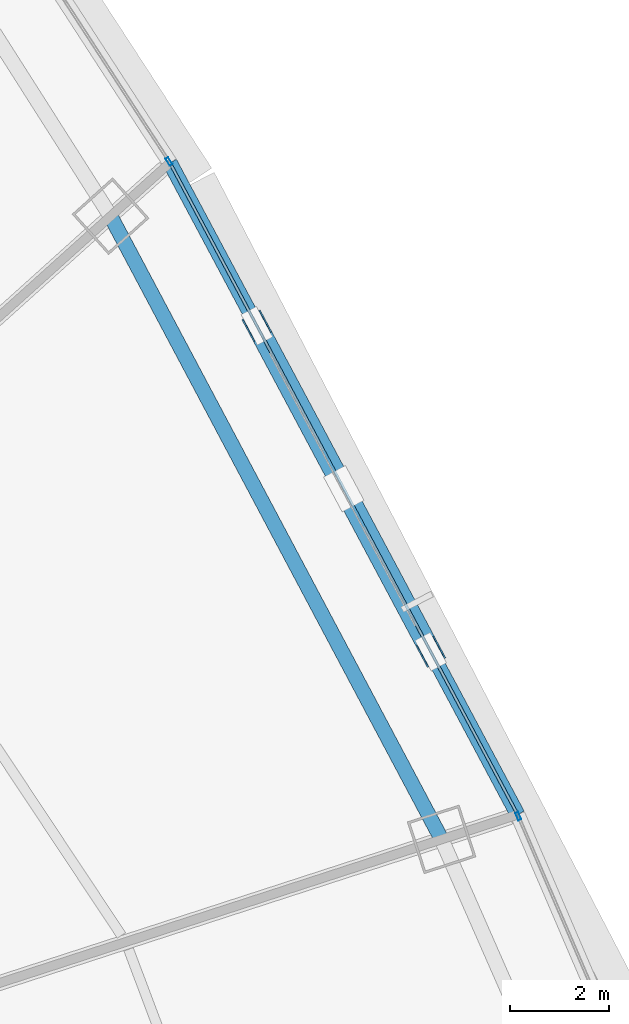
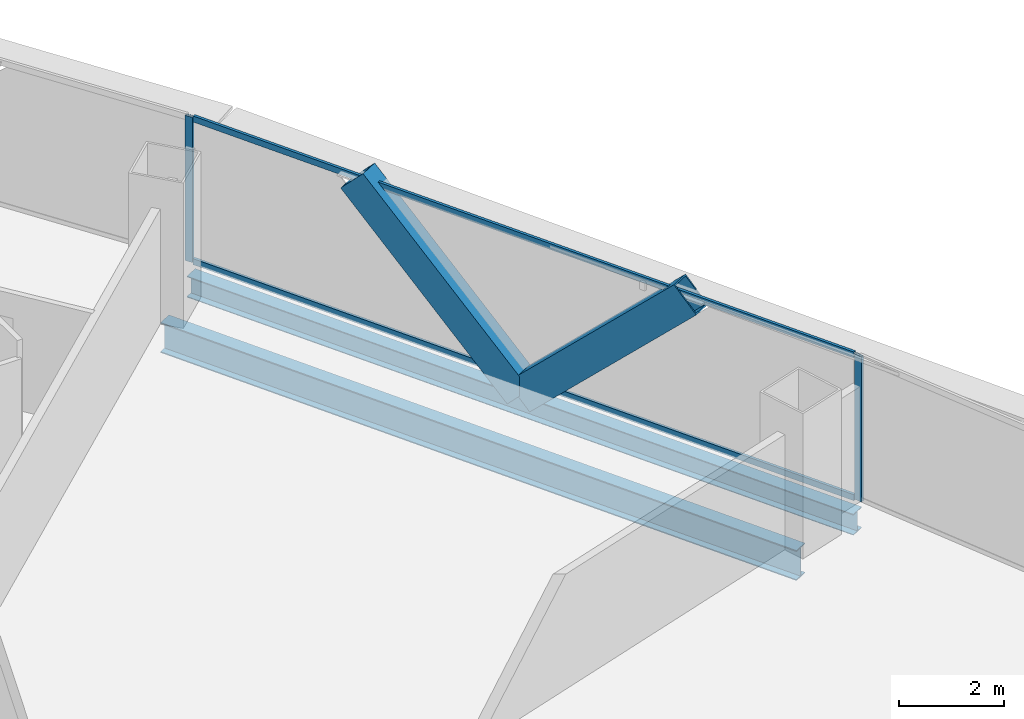
# One storey, part 25 of 42: 6 members, 2 beams, 3 elements without a shape of their own.
"""IFC4 building model written with IfcOpenShell, lengths in metres."""

from ifc_helpers import new_model, si_unit, direction, frame, origin, origin_2d, place, context, subcontext, project, spatial, hollow_rectangle, i_section, extrude, source, transform, mapped, material, layer, layer_set, material_profile, profile_set, type_object, element, aggregate, save


model = new_model("IFC4")

# Units and contexts
model_context = context("Model", 3, precision=1e-05, world=origin(), true_north=direction((0.0, 1.0)))
body_context = subcontext(model_context, "Body", "Model", "MODEL_VIEW")
ifc_project = project(units=[si_unit("LENGTHUNIT", "METRE"), si_unit("AREAUNIT", "SQUARE_METRE"), si_unit("VOLUMEUNIT", "CUBIC_METRE"), si_unit("PLANEANGLEUNIT", "RADIAN"), si_unit("MASSUNIT", "GRAM", prefix="KILO"), si_unit("THERMODYNAMICTEMPERATUREUNIT", "KELVIN"), si_unit("POWERUNIT", "WATT")], contexts=[model_context])

# Site, building, storey
site_placement = place(None, origin())
site = spatial("IfcSite", under=ifc_project, at=site_placement, CompositionType="ELEMENT")
building_placement = place(site_placement, origin())
building = spatial("IfcBuilding", under=site, at=building_placement, Name="Yunzhuo Pagoda Commons", CompositionType="ELEMENT")
storey_placement = place(building_placement, frame((0.0, 0.0, 41.2900390625)))
storey = spatial("IfcBuildingStorey", under=building, at=storey_placement, Name="L10", CompositionType="ELEMENT", Elevation=41.2900390625)

# Beams
ifc_material_1 = material(Name="Structural steel Q355B", Category="steel")
ifc_material_profile_1 = material_profile(ifc_material_1, i_section(OverallWidth=0.300048828125, OverallDepth=0.699951171875, WebThickness=0.012939453125, FlangeThickness=0.02392578125, at=origin_2d()), Name="Structural steel Q355B")
ifc_profile_set_1 = profile_set([ifc_material_profile_1], Name="Structural steel Q355B")
beam_type_1 = type_object("IfcBeamType", Name="B-RG1 Beam HN 700x300x13x24", PredefinedType="BEAM", material=ifc_profile_set_1)
shared_shape_1 = source(origin(), body_context, "Body", "SweptSolid", [
    extrude(i_section(OverallWidth=0.300048828125, OverallDepth=0.699951171875, WebThickness=0.012939453125, FlangeThickness=0.02392578125, at=origin_2d()), origin(), (0.0, 0.0, 1.0), 14.25390625),
])
beam_1_placement = place(storey_placement, frame((80.33544921875, 44.206298828125, -0.610107421875), z_axis=(-0.469118073628, 0.883135455633, 0.0), x_axis=(-0.883135455633, -0.469118073628, 0.0)))
element("IfcBeam", 1, at=beam_1_placement, inside=storey, type_object=beam_type_1, Name="L10 column-ring beam 6", PredefinedType="BEAM", context=body_context, shape_type="MappedRepresentation", body=[
    mapped(shared_shape_1, transform((0.0, 0.0, 0.0), scale=1.0)),
])
ifc_material_profile_2 = material_profile(ifc_material_1, i_section(OverallWidth=0.300048828125, OverallDepth=0.488037109375, WebThickness=0.010986328125, FlangeThickness=0.01806640625, at=origin_2d()), Name="Structural steel Q355B")
ifc_profile_set_2 = profile_set([ifc_material_profile_2], Name="Structural steel Q355B")
beam_type_2 = type_object("IfcBeamType", Name="B-SP1 Beam HM 488x300x11x18", PredefinedType="BEAM", material=ifc_profile_set_2)
shared_shape_2 = source(origin(), body_context, "Body", "SweptSolid", [
    extrude(i_section(OverallWidth=0.300048828125, OverallDepth=0.488037109375, WebThickness=0.010986328125, FlangeThickness=0.01806640625, at=origin_2d()), origin(), (0.0, 0.0, 1.0), 14.924072265625),
])
beam_2_placement = place(storey_placement, frame((81.87158203125, 44.70556640625, -0.504150390625), z_axis=(-0.470660405107, 0.882314446819, 0.0), x_axis=(-0.882314446819, -0.470660405107, 0.0)))
element("IfcBeam", 2, at=beam_2_placement, inside=storey, type_object=beam_type_2, Name="L10 facade edge spandrel beam F2.2", PredefinedType="BEAM", context=body_context, shape_type="MappedRepresentation", body=[
    mapped(shared_shape_2, transform((0.0, 0.0, 0.0), scale=1.0)),
])

# Members
ifc_material_2 = material(Name="Structural steel Q420B", Category="steel")
ifc_material_profile_3 = material_profile(ifc_material_2, hollow_rectangle(XDim=0.419921875, YDim=0.719970703125, WallThickness=0.028076171875, at=origin_2d()), Name="Structural steel Q420B")
ifc_profile_set_3 = profile_set([ifc_material_profile_3], Name="Structural steel Q420B")
member_type_1 = type_object("IfcMemberType", Name="M-DL1 Brace BOX 720x420x28", PredefinedType="BRACE", material=ifc_profile_set_3)
shared_shape_3 = source(origin(), body_context, "Body", "SweptSolid", [
    extrude(hollow_rectangle(XDim=0.419921875, YDim=0.719970703125, WallThickness=0.028076171875, at=origin_2d()), origin(), (0.0, 0.0, 1.0), 5.20556640625),
])
member_1_placement = place(storey_placement, frame((78.359619140625, 51.28955078125, -0.260009765625), z_axis=(0.337355825216, -0.632407333131, 0.697317726861), x_axis=(0.882311277354, 0.470666346634, 0.0)))
element("IfcMember", 3, at=member_1_placement, inside=storey, type_object=member_type_1, Name="L10 facade diamond brace F2.2L", PredefinedType="BRACE", context=body_context, shape_type="MappedRepresentation", body=[
    mapped(shared_shape_3, transform((0.0, 0.0, 0.0), scale=1.0)),
])
shared_shape_4 = source(origin(), body_context, "Body", "SweptSolid", [
    extrude(hollow_rectangle(XDim=0.419921875, YDim=0.719970703125, WallThickness=0.028076171875, at=origin_2d()), origin(), (0.0, 0.0, 1.0), 5.205322265625),
])
member_2_placement = place(storey_placement, frame((78.359619140625, 51.28955078125, -0.260009765625), z_axis=(-0.337365831354, 0.632379188676, 0.697338409644), x_axis=(-0.882296780726, -0.470693521009, 0.0)))
element("IfcMember", 4, at=member_2_placement, inside=storey, type_object=member_type_1, Name="L10 facade diamond brace F2.2R", PredefinedType="BRACE", context=body_context, shape_type="MappedRepresentation", body=[
    mapped(shared_shape_4, transform((0.0, 0.0, 0.0), scale=1.0)),
])

# Curtain wall, member
ifc_material_3 = material(Name="Anodized aluminium 6063-T6", Category="aluminium")
ifc_layer = layer(ifc_material_3, 0.1650390625)
ifc_layer_set = layer_set([ifc_layer], Name="Anodized aluminium 6063-T6")
curtain_wall_type = type_object("IfcCurtainWallType", Name="CW-LOW Low-Zone Ribbon Curtain Wall", PredefinedType="NOTDEFINED", material=ifc_layer_set)
curtain_wall_1_placement = place(storey_placement, origin())
curtain_wall_1 = element("IfcCurtainWall", 5, at=curtain_wall_1_placement, inside=storey, type_object=curtain_wall_type, Name="L10 curtain wall CW-L10-F2B2", PredefinedType="NOTDEFINED")
ifc_material_profile_4 = material_profile(ifc_material_3, hollow_rectangle(XDim=0.06494140625, YDim=0.1650390625, WallThickness=0.00390625, at=origin_2d()), Name="Anodized aluminium 6063-T6")
ifc_profile_set_4 = profile_set([ifc_material_profile_4], Name="Anodized aluminium 6063-T6")
member_type_2 = type_object("IfcMemberType", Name="CW-LOW-M Mullion RHS 165x65x4", PredefinedType="MULLION", material=ifc_profile_set_4)
shared_shape_5 = source(origin(), body_context, "Body", "SweptSolid", [
    extrude(hollow_rectangle(XDim=0.06494140625, YDim=0.1650390625, WallThickness=0.00390625, at=origin_2d()), origin(), (0.0, 0.0, 1.0), 3.369873046875),
])
member_3_placement = place(storey_placement, frame((81.884765625, 44.67578125, 0.0), z_axis=(0.0, 0.0, 1.0), x_axis=(-0.918865619656, -0.394570618538, 0.0)))
member_3 = element("IfcMember", 6, at=member_3_placement, type_object=member_type_2, Name="CW mullion 2", PredefinedType="MULLION", context=body_context, shape_type="MappedRepresentation", body=[
    mapped(shared_shape_5, transform((0.0, 0.0, 0.0), scale=1.0)),
])
aggregate(curtain_wall_1, [member_3])

curtain_wall_2_placement = place(storey_placement, origin())
curtain_wall_2 = element("IfcCurtainWall", 7, at=curtain_wall_2_placement, inside=storey, type_object=curtain_wall_type, Name="L10 curtain wall CW-L10-F2B4", PredefinedType="NOTDEFINED")
member_4_placement = place(storey_placement, frame((74.82958984375, 57.900634765625, 0.0), z_axis=(0.0, 0.0, 1.0), x_axis=(-0.838709783089, -0.54457864423, 0.0)))
member_4 = element("IfcMember", 8, at=member_4_placement, type_object=member_type_2, Name="CW mullion 1", PredefinedType="MULLION", context=body_context, shape_type="MappedRepresentation", body=[
    mapped(shared_shape_5, transform((0.0, 0.0, 0.0), scale=1.0)),
])
aggregate(curtain_wall_2, [member_4])

# Curtain wall, members
curtain_wall_3_placement = place(storey_placement, origin())
curtain_wall_3 = element("IfcCurtainWall", 9, at=curtain_wall_3_placement, inside=storey, type_object=curtain_wall_type, Name="L10 curtain wall CW-L10-F2B3", PredefinedType="NOTDEFINED")
ifc_material_profile_5 = material_profile(ifc_material_3, hollow_rectangle(XDim=0.06005859375, YDim=0.139892578125, WallThickness=0.00341796875, at=origin_2d()), Name="Anodized aluminium 6063-T6")
ifc_profile_set_5 = profile_set([ifc_material_profile_5], Name="Anodized aluminium 6063-T6")
member_type_3 = type_object("IfcMemberType", Name="CW-LOW-T Transom RHS 140x60x3.5", PredefinedType="USERDEFINED", material=ifc_profile_set_5)
shared_shape_6 = source(origin(), body_context, "Body", "SweptSolid", [
    extrude(hollow_rectangle(XDim=0.06005859375, YDim=0.139892578125, WallThickness=0.00341796875, at=origin_2d()), origin(), (0.0, 0.0, 1.0), 14.794189453125),
])
member_5_placement = place(storey_placement, frame((81.84130859375, 44.76318359375, 0.030029296875), z_axis=(-0.470682450666, 0.882302686517, 0.0), x_axis=(-0.882302686517, -0.470682450666, 0.0)))
member_5 = element("IfcMember", 10, at=member_5_placement, type_object=member_type_3, Name="CW transom 1.1", ObjectType="TRANSOM", PredefinedType="USERDEFINED", context=body_context, shape_type="MappedRepresentation", body=[
    mapped(shared_shape_6, transform((0.0, 0.0, 0.0), scale=1.0)),
])
member_6_placement = place(storey_placement, frame((81.84130859375, 44.76318359375, 3.33984375), z_axis=(-0.470682450666, 0.882302686517, 0.0), x_axis=(-0.882302686517, -0.470682450666, 0.0)))
member_6 = element("IfcMember", 11, at=member_6_placement, type_object=member_type_3, Name="CW transom 1.2", ObjectType="TRANSOM", PredefinedType="USERDEFINED", context=body_context, shape_type="MappedRepresentation", body=[
    mapped(shared_shape_6, transform((0.0, 0.0, 0.0), scale=1.0)),
])
aggregate(curtain_wall_3, [member_5, member_6])

save(model, "model.ifc")
